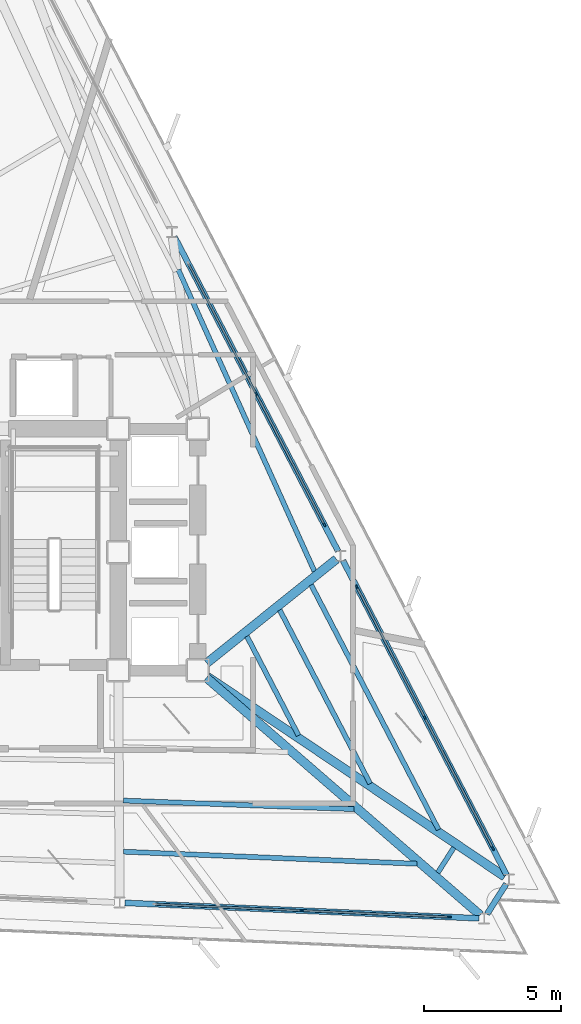
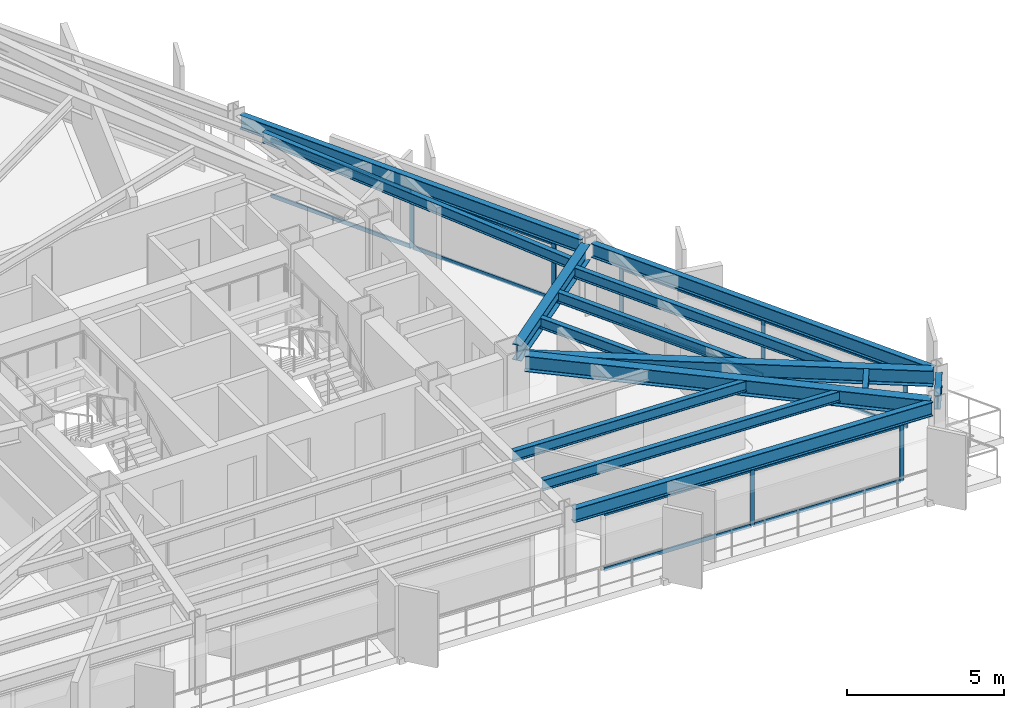
# One storey, part 5 of 12: 19 members, 14 beams, 3 elements without a shape of their own.
"""IFC4 building model written with IfcOpenShell, lengths in metres."""

from ifc_helpers import new_model, si_unit, direction, frame, origin, origin_2d, place, context, subcontext, project, spatial, rectangle, i_section, extrude, material, layer, layer_set, material_profile, profile_set, type_object, element, aggregate, save


model = new_model("IFC4")

# Units and contexts
model_context = context("Model", 3, precision=1e-05, world=origin(), true_north=direction((0.0, 1.0)))
body_context = subcontext(model_context, "Body", "Model", "MODEL_VIEW")
ifc_project = project(units=[si_unit("LENGTHUNIT", "METRE"), si_unit("AREAUNIT", "SQUARE_METRE"), si_unit("VOLUMEUNIT", "CUBIC_METRE"), si_unit("PLANEANGLEUNIT", "RADIAN"), si_unit("MASSUNIT", "GRAM", prefix="KILO")], contexts=[model_context])

# Site, building, storey
site_placement = place(None, origin())
site = spatial("IfcSite", under=ifc_project, at=site_placement, CompositionType="ELEMENT")
building_placement = place(site_placement, origin())
building = spatial("IfcBuilding", under=site, at=building_placement, Name="Rocaltana Carrier Exchange", CompositionType="ELEMENT")
storey_placement = place(building_placement, frame((0.0, 0.0, 141.1201171875)))
storey = spatial("IfcBuildingStorey", under=building, at=storey_placement, Name="L44", CompositionType="ELEMENT", Elevation=141.1201171875)

# Curtain wall, members
ifc_material_1 = material(Name="Aluminium 6063-T6", Category="aluminium")
ifc_layer = layer(ifc_material_1, 0.14990234375)
ifc_layer_set = layer_set([ifc_layer], Name="Aluminium 6063-T6")
curtain_wall_type = type_object("IfcCurtainWallType", Name="Mid-Tower Unitised Curtain Wall CW-03", PredefinedType="NOTDEFINED", material=ifc_layer_set)
curtain_wall_1_placement = place(storey_placement, origin())
curtain_wall_1 = element("IfcCurtainWall", 1, at=curtain_wall_1_placement, inside=storey, type_object=curtain_wall_type, Name="L44 CW-03 Run CW-L44-F1S1", PredefinedType="NOTDEFINED")
ifc_material_2 = material(Name="Aluminium 6063-T6", Category="aluminium")
ifc_material_profile_1 = material_profile(ifc_material_2, rectangle(XDim=0.06005859375, YDim=0.14990234375, at=origin_2d()), Name="AL-60X150")
ifc_profile_set_1 = profile_set([ifc_material_profile_1], Name="Aluminium 6063-T6")
member_type_1 = type_object("IfcMemberType", Name="CW-03 Mullion AL-60X150", PredefinedType="MULLION", material=ifc_profile_set_1)
member_1_placement = place(storey_placement, frame((19.700439453125, -10.792724609375, 0.0), z_axis=(0.0, 0.0, 1.0), x_axis=(-0.887009929614, -0.461750348962, 0.0)))
member_1 = element("IfcMember", 2, at=member_1_placement, type_object=member_type_1, Name="CW-03 mullion 1", PredefinedType="MULLION", context=body_context, shape_type="SweptSolid", body=[
    extrude(rectangle(XDim=0.06005859375, YDim=0.14990234375, at=origin_2d()), origin(), (0.0, 0.0, 1.0), 2.2177734375),
])
member_2_placement = place(storey_placement, frame((17.220947265625, -6.029541015625, 0.0), z_axis=(0.0, 0.0, 1.0), x_axis=(-0.887009929614, -0.461750348962, 0.0)))
member_2 = element("IfcMember", 3, at=member_2_placement, type_object=member_type_1, Name="CW-03 mullion 2", PredefinedType="MULLION", context=body_context, shape_type="SweptSolid", body=[
    extrude(rectangle(XDim=0.06005859375, YDim=0.14990234375, at=origin_2d()), origin(), (0.0, 0.0, 1.0), 2.2177734375),
])
member_3_placement = place(storey_placement, frame((14.7412109375, -1.266357421875, 0.0), z_axis=(0.0, 0.0, 1.0), x_axis=(-0.887009929614, -0.461750348962, 0.0)))
member_3 = element("IfcMember", 4, at=member_3_placement, type_object=member_type_1, Name="CW-03 mullion 3", PredefinedType="MULLION", context=body_context, shape_type="SweptSolid", body=[
    extrude(rectangle(XDim=0.06005859375, YDim=0.14990234375, at=origin_2d()), origin(), (0.0, 0.0, 1.0), 2.2177734375),
])

curtain_wall_2_placement = place(storey_placement, origin())
curtain_wall_2 = element("IfcCurtainWall", 5, at=curtain_wall_2_placement, inside=storey, type_object=curtain_wall_type, Name="L44 CW-03 Run CW-L44-F1S2", PredefinedType="NOTDEFINED")
member_4_placement = place(storey_placement, frame((13.55908203125, 1.00439453125, 0.0), z_axis=(0.0, 0.0, 1.0), x_axis=(-0.887011747812, -0.461746856235, 0.0)))
member_4 = element("IfcMember", 6, at=member_4_placement, type_object=member_type_1, Name="CW-03 mullion 1", PredefinedType="MULLION", context=body_context, shape_type="SweptSolid", body=[
    extrude(rectangle(XDim=0.06005859375, YDim=0.14990234375, at=origin_2d()), origin(), (0.0, 0.0, 1.0), 2.2177734375),
])
member_5_placement = place(storey_placement, frame((11.07958984375, 5.767578125, 0.0), z_axis=(0.0, 0.0, 1.0), x_axis=(-0.887011747812, -0.461746856235, 0.0)))
member_5 = element("IfcMember", 7, at=member_5_placement, type_object=member_type_1, Name="CW-03 mullion 2", PredefinedType="MULLION", context=body_context, shape_type="SweptSolid", body=[
    extrude(rectangle(XDim=0.06005859375, YDim=0.14990234375, at=origin_2d()), origin(), (0.0, 0.0, 1.0), 2.2177734375),
])

curtain_wall_3_placement = place(storey_placement, origin())
curtain_wall_3 = element("IfcCurtainWall", 8, at=curtain_wall_3_placement, inside=storey, type_object=curtain_wall_type, Name="L44 CW-03 Run CW-L44-F3S3", PredefinedType="NOTDEFINED")
member_6_placement = place(storey_placement, frame((12.742431640625, -13.05908203125, 0.0), z_axis=(0.0, 0.0, 1.0), x_axis=(0.043629290456, 0.999047789154, 0.0)))
member_6 = element("IfcMember", 9, at=member_6_placement, type_object=member_type_1, Name="CW-03 mullion 2", PredefinedType="MULLION", context=body_context, shape_type="SweptSolid", body=[
    extrude(rectangle(XDim=0.06005859375, YDim=0.14990234375, at=origin_2d()), origin(), (0.0, 0.0, 1.0), 2.2177734375),
])
member_7_placement = place(storey_placement, frame((18.107421875, -13.29345703125, 0.0), z_axis=(0.0, 0.0, 1.0), x_axis=(0.043629290456, 0.999047789154, 0.0)))
member_7 = element("IfcMember", 10, at=member_7_placement, type_object=member_type_1, Name="CW-03 mullion 3", PredefinedType="MULLION", context=body_context, shape_type="SweptSolid", body=[
    extrude(rectangle(XDim=0.06005859375, YDim=0.14990234375, at=origin_2d()), origin(), (0.0, 0.0, 1.0), 2.2177734375),
])

# Member
ifc_material_3 = material(Name="Aluminium 6063-T6", Category="aluminium")
ifc_material_profile_2 = material_profile(ifc_material_3, rectangle(XDim=0.06005859375, YDim=0.14990234375, at=origin_2d()), Name="AL-60X150")
ifc_profile_set_2 = profile_set([ifc_material_profile_2], Name="Aluminium 6063-T6")
member_type_2 = type_object("IfcMemberType", Name="CW-03 Transom AL-60X150", PredefinedType="USERDEFINED", material=ifc_profile_set_2)
member_8_placement = place(storey_placement, frame((19.6865234375, -10.76611328125, 0.02978515625), z_axis=(-0.461756588365, 0.887006681543, 0.0), x_axis=(-0.887006681543, -0.461756588365, 0.0)))
member_8 = element("IfcMember", 11, at=member_8_placement, type_object=member_type_2, Name="CW-03 transom 1.1", ObjectType="TRANSOM", PredefinedType="USERDEFINED", context=body_context, shape_type="SweptSolid", body=[
    extrude(rectangle(XDim=0.06005859375, YDim=0.14990234375, at=origin_2d()), origin(), (0.0, 0.0, 1.0), 5.31005859375),
])

member_9_placement = place(storey_placement, frame((19.6865234375, -10.76611328125, 2.18798828125), z_axis=(-0.461756588365, 0.887006681543, 0.0), x_axis=(-0.887006681543, -0.461756588365, 0.0)))
member_9 = element("IfcMember", 12, at=member_9_placement, type_object=member_type_2, Name="CW-03 transom 1.2", ObjectType="TRANSOM", PredefinedType="USERDEFINED", context=body_context, shape_type="SweptSolid", body=[
    extrude(rectangle(XDim=0.06005859375, YDim=0.14990234375, at=origin_2d()), origin(), (0.0, 0.0, 1.0), 5.31005859375),
])

member_10_placement = place(storey_placement, frame((17.20703125, -6.0029296875, 0.02978515625), z_axis=(-0.461756588365, 0.887006681543, 0.0), x_axis=(-0.887006681543, -0.461756588365, 0.0)))
member_10 = element("IfcMember", 13, at=member_10_placement, type_object=member_type_2, Name="CW-03 transom 2.1", ObjectType="TRANSOM", PredefinedType="USERDEFINED", context=body_context, shape_type="SweptSolid", body=[
    extrude(rectangle(XDim=0.06005859375, YDim=0.14990234375, at=origin_2d()), origin(), (0.0, 0.0, 1.0), 5.31005859375),
])

member_11_placement = place(storey_placement, frame((17.20703125, -6.0029296875, 2.18798828125), z_axis=(-0.461756588365, 0.887006681543, 0.0), x_axis=(-0.887006681543, -0.461756588365, 0.0)))
member_11 = element("IfcMember", 14, at=member_11_placement, type_object=member_type_2, Name="CW-03 transom 2.2", ObjectType="TRANSOM", PredefinedType="USERDEFINED", context=body_context, shape_type="SweptSolid", body=[
    extrude(rectangle(XDim=0.06005859375, YDim=0.14990234375, at=origin_2d()), origin(), (0.0, 0.0, 1.0), 5.31005859375),
])

aggregate(curtain_wall_1, [member_1, member_2, member_3, member_8, member_9, member_10, member_11])

member_12_placement = place(storey_placement, frame((13.54541015625, 1.031005859375, 0.02978515625), z_axis=(-0.461737757324, 0.887016484323, 0.0), x_axis=(-0.887016484323, -0.461737757324, 0.0)))
member_12 = element("IfcMember", 15, at=member_12_placement, type_object=member_type_2, Name="CW-03 transom 1.1", ObjectType="TRANSOM", PredefinedType="USERDEFINED", context=body_context, shape_type="SweptSolid", body=[
    extrude(rectangle(XDim=0.06005859375, YDim=0.14990234375, at=origin_2d()), origin(), (0.0, 0.0, 1.0), 5.31005859375),
])

member_13_placement = place(storey_placement, frame((13.54541015625, 1.031005859375, 2.18798828125), z_axis=(-0.461737757324, 0.887016484323, 0.0), x_axis=(-0.887016484323, -0.461737757324, 0.0)))
member_13 = element("IfcMember", 16, at=member_13_placement, type_object=member_type_2, Name="CW-03 transom 1.2", ObjectType="TRANSOM", PredefinedType="USERDEFINED", context=body_context, shape_type="SweptSolid", body=[
    extrude(rectangle(XDim=0.06005859375, YDim=0.14990234375, at=origin_2d()), origin(), (0.0, 0.0, 1.0), 5.31005859375),
])

member_14_placement = place(storey_placement, frame((11.065673828125, 5.794189453125, 0.02978515625), z_axis=(-0.461701582275, 0.887035314362, 0.0), x_axis=(-0.887035314362, -0.461701582275, 0.0)))
member_14 = element("IfcMember", 17, at=member_14_placement, type_object=member_type_2, Name="CW-03 transom 2.1", ObjectType="TRANSOM", PredefinedType="USERDEFINED", context=body_context, shape_type="SweptSolid", body=[
    extrude(rectangle(XDim=0.06005859375, YDim=0.14990234375, at=origin_2d()), origin(), (0.0, 0.0, 1.0), 5.31005859375),
])

member_15_placement = place(storey_placement, frame((11.065673828125, 5.794189453125, 2.18798828125), z_axis=(-0.461701582275, 0.887035314362, 0.0), x_axis=(-0.887035314362, -0.461701582275, 0.0)))
member_15 = element("IfcMember", 18, at=member_15_placement, type_object=member_type_2, Name="CW-03 transom 2.2", ObjectType="TRANSOM", PredefinedType="USERDEFINED", context=body_context, shape_type="SweptSolid", body=[
    extrude(rectangle(XDim=0.06005859375, YDim=0.14990234375, at=origin_2d()), origin(), (0.0, 0.0, 1.0), 5.31005859375),
])

aggregate(curtain_wall_2, [member_4, member_5, member_12, member_13, member_14, member_15])

member_16_placement = place(storey_placement, frame((7.407470703125, -12.826171875, 0.02978515625), z_axis=(0.999047725225, -0.043630754314, 0.0), x_axis=(0.043630754314, 0.999047725225, 0.0)))
member_16 = element("IfcMember", 19, at=member_16_placement, type_object=member_type_2, Name="CW-03 transom 1.1", ObjectType="TRANSOM", PredefinedType="USERDEFINED", context=body_context, shape_type="SweptSolid", body=[
    extrude(rectangle(XDim=0.06005859375, YDim=0.14990234375, at=origin_2d()), origin(), (0.0, 0.0, 1.0), 5.310302734375),
])

member_17_placement = place(storey_placement, frame((7.407470703125, -12.826171875, 2.18798828125), z_axis=(0.999047725225, -0.043630754314, 0.0), x_axis=(0.043630754314, 0.999047725225, 0.0)))
member_17 = element("IfcMember", 20, at=member_17_placement, type_object=member_type_2, Name="CW-03 transom 1.2", ObjectType="TRANSOM", PredefinedType="USERDEFINED", context=body_context, shape_type="SweptSolid", body=[
    extrude(rectangle(XDim=0.06005859375, YDim=0.14990234375, at=origin_2d()), origin(), (0.0, 0.0, 1.0), 5.310302734375),
])

member_18_placement = place(storey_placement, frame((12.7724609375, -13.060546875, 0.02978515625), z_axis=(0.999047637698, -0.043632758442, 0.0), x_axis=(0.043632758442, 0.999047637698, 0.0)))
member_18 = element("IfcMember", 21, at=member_18_placement, type_object=member_type_2, Name="CW-03 transom 2.1", ObjectType="TRANSOM", PredefinedType="USERDEFINED", context=body_context, shape_type="SweptSolid", body=[
    extrude(rectangle(XDim=0.06005859375, YDim=0.14990234375, at=origin_2d()), origin(), (0.0, 0.0, 1.0), 5.31005859375),
])

member_19_placement = place(storey_placement, frame((12.7724609375, -13.060546875, 2.18798828125), z_axis=(0.999047637698, -0.043632758442, 0.0), x_axis=(0.043632758442, 0.999047637698, 0.0)))
member_19 = element("IfcMember", 22, at=member_19_placement, type_object=member_type_2, Name="CW-03 transom 2.2", ObjectType="TRANSOM", PredefinedType="USERDEFINED", context=body_context, shape_type="SweptSolid", body=[
    extrude(rectangle(XDim=0.06005859375, YDim=0.14990234375, at=origin_2d()), origin(), (0.0, 0.0, 1.0), 5.31005859375),
])

aggregate(curtain_wall_3, [member_6, member_7, member_16, member_17, member_18, member_19])

# Beams
ifc_material_4 = material(Name="Steel S355", Category="steel")
ifc_material_profile_3 = material_profile(ifc_material_4, i_section(OverallWidth=0.179931640625, OverallDepth=0.4130859375, WebThickness=0.009765625, FlangeThickness=0.01611328125, FilletRadius=0.012939453125, at=origin_2d()), Name="W16X50")
ifc_profile_set_3 = profile_set([ifc_material_profile_3], Name="Steel S355")
beam_type_1 = type_object("IfcBeamType", Name="Floor Joist W16X50", PredefinedType="JOIST", material=ifc_profile_set_3)
beam_1_placement = place(storey_placement, frame((12.62060546875, -6.678955078125, 2.581298828125), z_axis=(-0.461741088253, 0.887014750395, 0.0), x_axis=(-0.887014750395, -0.461741088253, 0.0)))
element("IfcBeam", 23, at=beam_1_placement, inside=storey, type_object=beam_type_1, Name="FJ-L44-01-1", PredefinedType="JOIST", context=body_context, shape_type="SweptSolid", body=[
    extrude(i_section(OverallWidth=0.179931640625, OverallDepth=0.4130859375, WebThickness=0.009765625, FlangeThickness=0.01611328125, FilletRadius=0.012939453125, at=origin_2d()), origin(), (0.0, 0.0, 1.0), 4.0771484375),
])
beam_2_placement = place(storey_placement, frame((15.229248046875, -8.433349609375, 2.581298828125), z_axis=(-0.461769572887, 0.886999921959, 0.0), x_axis=(-0.886999921959, -0.461769572887, 0.0)))
element("IfcBeam", 24, at=beam_2_placement, inside=storey, type_object=beam_type_1, Name="FJ-L44-01-2", PredefinedType="JOIST", context=body_context, shape_type="SweptSolid", body=[
    extrude(i_section(OverallWidth=0.179931640625, OverallDepth=0.4130859375, WebThickness=0.009765625, FlangeThickness=0.01611328125, FilletRadius=0.012939453125, at=origin_2d()), origin(), (0.0, 0.0, 1.0), 7.135986328125),
])
beam_3_placement = place(storey_placement, frame((17.724365234375, -10.111572265625, 2.581298828125), z_axis=(-0.461760646449, 0.88700456898, 0.0), x_axis=(-0.88700456898, -0.461760646449, 0.0)))
element("IfcBeam", 25, at=beam_3_placement, inside=storey, type_object=beam_type_1, Name="FJ-L44-01-3", PredefinedType="JOIST", context=body_context, shape_type="SweptSolid", body=[
    extrude(i_section(OverallWidth=0.179931640625, OverallDepth=0.4130859375, WebThickness=0.009765625, FlangeThickness=0.01611328125, FilletRadius=0.012939453125, at=origin_2d()), origin(), (0.0, 0.0, 1.0), 10.06201171875),
])
beam_4_placement = place(storey_placement, frame((13.201904296875, -0.697509765625, 2.581298828125), z_axis=(-0.41154987929, 0.911387237598, 0.0), x_axis=(-0.911387237598, -0.41154987929, 0.0)))
element("IfcBeam", 26, at=beam_4_placement, inside=storey, type_object=beam_type_1, Name="FJ-L44-02-3", PredefinedType="JOIST", context=body_context, shape_type="SweptSolid", body=[
    extrude(i_section(OverallWidth=0.179931640625, OverallDepth=0.4130859375, WebThickness=0.009765625, FlangeThickness=0.01611328125, FilletRadius=0.012939453125, at=origin_2d()), origin(), (0.0, 0.0, 1.0), 12.0732421875),
])
beam_5_placement = place(storey_placement, frame((6.233154296875, -9.048583984375, 2.581298828125), z_axis=(0.999306338381, -0.037240328574, 0.0), x_axis=(0.037240328574, 0.999306338381, 0.0)))
element("IfcBeam", 27, at=beam_5_placement, inside=storey, type_object=beam_type_1, Name="FJ-L44-11-2", PredefinedType="JOIST", context=body_context, shape_type="SweptSolid", body=[
    extrude(i_section(OverallWidth=0.179931640625, OverallDepth=0.4130859375, WebThickness=0.009765625, FlangeThickness=0.01611328125, FilletRadius=0.012939453125, at=origin_2d()), origin(), (0.0, 0.0, 1.0), 8.4111328125),
])
beam_6_placement = place(storey_placement, frame((6.243896484375, -10.912353515625, 2.581298828125), z_axis=(0.999155233616, -0.041095244719, 0.0), x_axis=(0.041095244719, 0.999155233616, 0.0)))
element("IfcBeam", 28, at=beam_6_placement, inside=storey, type_object=beam_type_1, Name="FJ-L44-11-3", PredefinedType="JOIST", context=body_context, shape_type="SweptSolid", body=[
    extrude(i_section(OverallWidth=0.179931640625, OverallDepth=0.4130859375, WebThickness=0.009765625, FlangeThickness=0.01611328125, FilletRadius=0.012939453125, at=origin_2d()), origin(), (0.0, 0.0, 1.0), 10.699462890625),
])
beam_7_placement = place(storey_placement, frame((17.69580078125, -11.67919921875, 2.581298828125), z_axis=(0.537311646576, 0.843383776495, 0.0), x_axis=(-0.843383776495, 0.537311646576, 0.0)))
element("IfcBeam", 29, at=beam_7_placement, inside=storey, type_object=beam_type_1, Name="FJ-L44-12-3", PredefinedType="JOIST", context=body_context, shape_type="SweptSolid", body=[
    extrude(i_section(OverallWidth=0.179931640625, OverallDepth=0.4130859375, WebThickness=0.009765625, FlangeThickness=0.01611328125, FilletRadius=0.012939453125, at=origin_2d()), origin(), (0.0, 0.0, 1.0), 1.08642578125),
])
ifc_material_5 = material(Name="Steel S355", Category="steel")
ifc_material_profile_4 = material_profile(ifc_material_5, i_section(OverallWidth=0.323974609375, OverallDepth=0.611083984375, WebThickness=0.0126953125, FlangeThickness=0.01904296875, FilletRadius=0.01611328125, at=origin_2d()), Name="W24X104")
ifc_profile_set_4 = profile_set([ifc_material_profile_4], Name="Steel S355")
beam_type_2 = type_object("IfcBeamType", Name="Radial Girder W24X104", PredefinedType="BEAM", material=ifc_profile_set_4)
beam_8_placement = place(storey_placement, frame((9.2958984375, -4.53271484375, 2.482421875), z_axis=(0.829777044165, -0.558095025041, 0.0), x_axis=(0.558095025041, 0.829777044165, 0.0)))
element("IfcBeam", 30, at=beam_8_placement, inside=storey, type_object=beam_type_2, Name="RG-L44-01", PredefinedType="BEAM", context=body_context, shape_type="SweptSolid", body=[
    extrude(i_section(OverallWidth=0.323974609375, OverallDepth=0.611083984375, WebThickness=0.0126953125, FlangeThickness=0.01904296875, FilletRadius=0.01611328125, at=origin_2d()), origin(), (0.0, 0.0, 1.0), 13.059814453125),
])
beam_9_placement = place(storey_placement, frame((9.275390625, -4.039306640625, 2.482421875), z_axis=(0.780199806369, 0.625530384667, 0.0), x_axis=(-0.625530384667, 0.780199806369, 0.0)))
element("IfcBeam", 31, at=beam_9_placement, inside=storey, type_object=beam_type_2, Name="RG-L44-02", PredefinedType="BEAM", context=body_context, shape_type="SweptSolid", body=[
    extrude(i_section(OverallWidth=0.323974609375, OverallDepth=0.611083984375, WebThickness=0.0126953125, FlangeThickness=0.01904296875, FilletRadius=0.01611328125, at=origin_2d()), origin(), (0.0, 0.0, 1.0), 6.056640625),
])
beam_10_placement = place(storey_placement, frame((9.26513671875, -4.5732421875, 2.482421875), z_axis=(0.755520684866, -0.655124793257, 0.0), x_axis=(0.655124793257, 0.755520684866, 0.0)))
element("IfcBeam", 32, at=beam_10_placement, inside=storey, type_object=beam_type_2, Name="RG-L44-12", PredefinedType="BEAM", context=body_context, shape_type="SweptSolid", body=[
    extrude(i_section(OverallWidth=0.323974609375, OverallDepth=0.611083984375, WebThickness=0.0126953125, FlangeThickness=0.01904296875, FilletRadius=0.01611328125, at=origin_2d()), origin(), (0.0, 0.0, 1.0), 13.20458984375),
])
ifc_material_6 = material(Name="Steel S355", Category="steel")
ifc_material_profile_5 = material_profile(ifc_material_6, i_section(OverallWidth=0.2119140625, OverallDepth=0.5439453125, WebThickness=0.01318359375, FlangeThickness=0.021240234375, FilletRadius=0.014892578125, at=origin_2d()), Name="W21X83")
ifc_profile_set_5 = profile_set([ifc_material_profile_5], Name="Steel S355")
beam_type_3 = type_object("IfcBeamType", Name="Spandrel Edge Beam W21X83", PredefinedType="SPANDREL", material=ifc_profile_set_5)
beam_11_placement = place(storey_placement, frame((20.203125, -11.75830078125, 2.515869140625), z_axis=(-0.461760336078, 0.887004730554, 0.0), x_axis=(-0.887004730554, -0.461760336078, 0.0)))
element("IfcBeam", 33, at=beam_11_placement, inside=storey, type_object=beam_type_3, Name="SP-L44-01", PredefinedType="SPANDREL", context=body_context, shape_type="SweptSolid", body=[
    extrude(i_section(OverallWidth=0.2119140625, OverallDepth=0.5439453125, WebThickness=0.01318359375, FlangeThickness=0.021240234375, FilletRadius=0.014892578125, at=origin_2d()), origin(), (0.0, 0.0, 1.0), 12.9169921875),
])
beam_12_placement = place(storey_placement, frame((14.061767578125, 0.0390625, 2.515869140625), z_axis=(-0.461753206696, 0.887008441959, 0.0), x_axis=(-0.887008441959, -0.461753206696, 0.0)))
element("IfcBeam", 34, at=beam_12_placement, inside=storey, type_object=beam_type_3, Name="SP-L44-02", PredefinedType="SPANDREL", context=body_context, shape_type="SweptSolid", body=[
    extrude(i_section(OverallWidth=0.2119140625, OverallDepth=0.5439453125, WebThickness=0.01318359375, FlangeThickness=0.021240234375, FilletRadius=0.014892578125, at=origin_2d()), origin(), (0.0, 0.0, 1.0), 12.916748046875),
])
beam_13_placement = place(storey_placement, frame((6.2900390625, -12.777587890625, 2.515869140625), z_axis=(0.999048905187, -0.043603727426, 0.0), x_axis=(0.043603727426, 0.999048905187, 0.0)))
element("IfcBeam", 35, at=beam_13_placement, inside=storey, type_object=beam_type_3, Name="SP-L44-11", PredefinedType="SPANDREL", context=body_context, shape_type="SweptSolid", body=[
    extrude(i_section(OverallWidth=0.2119140625, OverallDepth=0.5439453125, WebThickness=0.01318359375, FlangeThickness=0.021240234375, FilletRadius=0.014892578125, at=origin_2d()), origin(), (0.0, 0.0, 1.0), 12.9169921875),
])
beam_14_placement = place(storey_placement, frame((19.489013671875, -13.187744140625, 2.515869140625), z_axis=(0.537360684566, 0.843352532861, 0.0), x_axis=(-0.843352532861, 0.537360684566, 0.0)))
element("IfcBeam", 36, at=beam_14_placement, inside=storey, type_object=beam_type_3, Name="SP-L44-12", PredefinedType="SPANDREL", context=body_context, shape_type="SweptSolid", body=[
    extrude(i_section(OverallWidth=0.2119140625, OverallDepth=0.5439453125, WebThickness=0.01318359375, FlangeThickness=0.021240234375, FilletRadius=0.014892578125, at=origin_2d()), origin(), (0.0, 0.0, 1.0), 1.302001953125),
])

save(model, "model.ifc")
